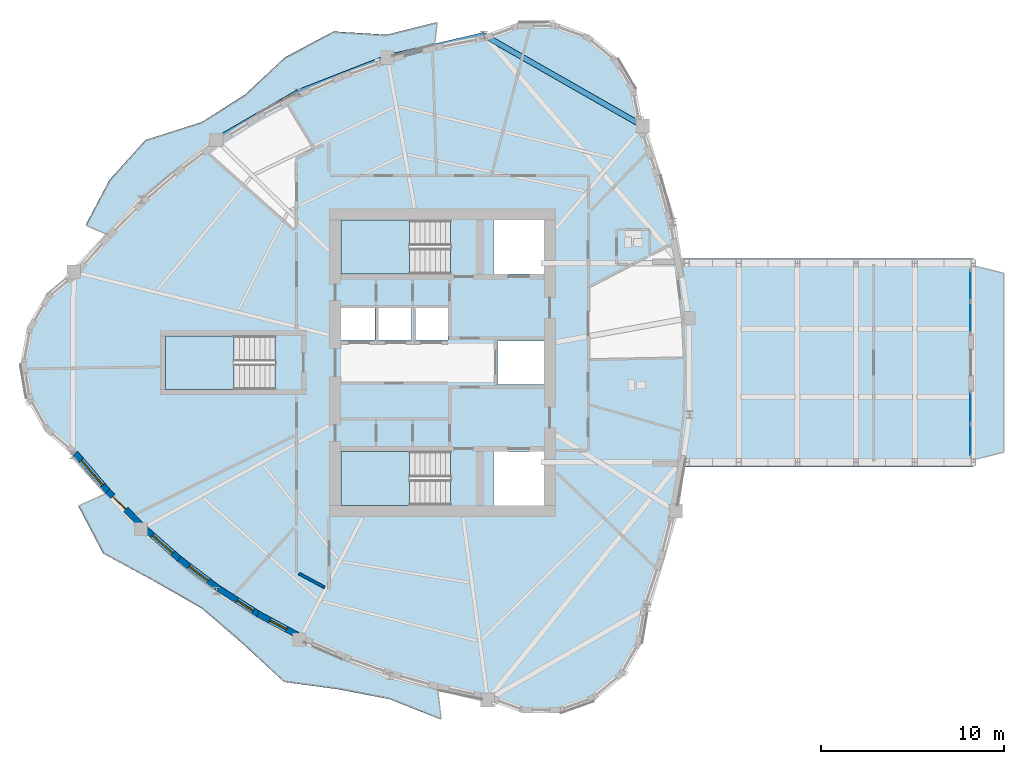
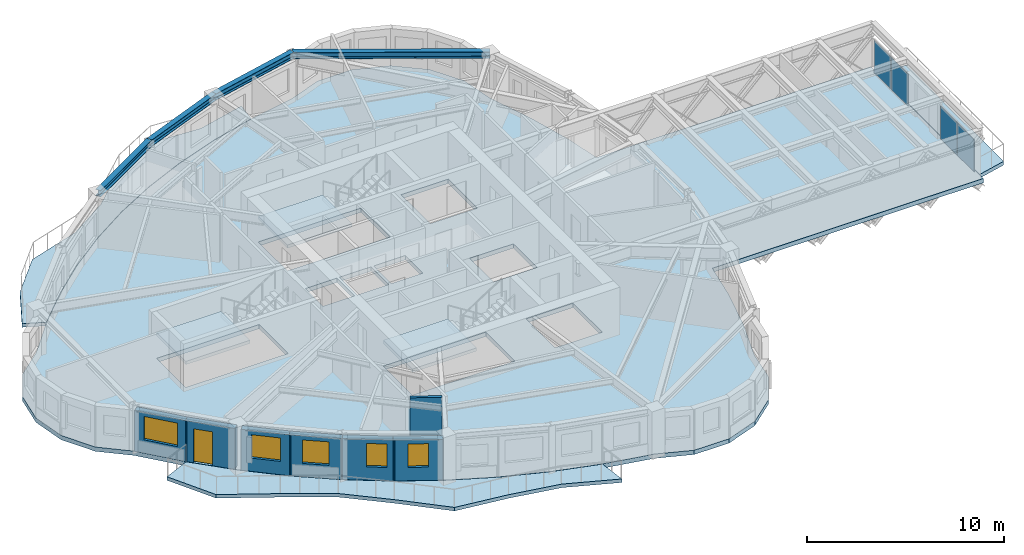
# One storey, part 3 of 13: 7 slabs, 7 walls, 5 windows, 4 beams, 4 plates, 1 door, 6 openings, 5 elements without a shape of their own.
"""IFC4 building model written with IfcOpenShell, lengths in metres."""

from ifc_helpers import new_model, si_unit, direction, frame, frame_2d, origin, origin_2d, place, context, subcontext, project, spatial, polyline, rectangle, i_section, outline, extrude, source, transform, mapped, material, layer, layer_set, material_profile, profile_set, type_object, element, fill, aggregate, save


model = new_model("IFC4")

# Units and contexts
model_context = context("Model", 3, precision=1e-05, world=origin(), true_north=direction((0.0, 1.0)))
body_context = subcontext(model_context, "Body", "Model", "MODEL_VIEW")
ifc_project = project(units=[si_unit("LENGTHUNIT", "METRE"), si_unit("AREAUNIT", "SQUARE_METRE"), si_unit("VOLUMEUNIT", "CUBIC_METRE"), si_unit("PLANEANGLEUNIT", "RADIAN"), si_unit("MASSUNIT", "GRAM", prefix="KILO")], contexts=[model_context])

# Site, building, storey
site_placement = place(None, origin())
site = spatial("IfcSite", under=ifc_project, at=site_placement, CompositionType="ELEMENT")
building_placement = place(site_placement, origin())
building = spatial("IfcBuilding", under=site, at=building_placement, Name="Qafzar Sky-Pleat Residences", CompositionType="ELEMENT")
storey_placement = place(building_placement, frame((0.0, 0.0, 158.60009765625)))
storey = spatial("IfcBuildingStorey", under=building, at=storey_placement, Name="L47", CompositionType="ELEMENT", Elevation=158.60009765625)

# Beams
ifc_material_1 = material(Name="Steel S355", Category="steel")
ifc_material_profile = material_profile(ifc_material_1, i_section(OverallWidth=0.300048828125, OverallDepth=0.39990234375, WebThickness=0.013427734375, FlangeThickness=0.02392578125, FilletRadius=0.027099609375, at=origin_2d()), Name="HEB 400")
ifc_profile_set = profile_set([ifc_material_profile], Name="Steel S355")
beam_type = type_object("IfcBeamType", Name="BM-SPAN-HEB400", PredefinedType="SPANDREL", material=ifc_profile_set)
shared_shape_1 = source(origin(), body_context, "Body", "SweptSolid", [
    extrude(i_section(OverallWidth=0.300048828125, OverallDepth=0.39990234375, WebThickness=0.013427734375, FlangeThickness=0.02392578125, FilletRadius=0.027099609375, at=origin_2d()), origin(), (0.0, 0.0, 1.0), 10.017578125),
])
beam_1_placement = place(storey_placement, frame((41.31103515625, 38.954833984375, 2.747802734375), z_axis=(-0.868435045366, 0.495802956809, 0.0), x_axis=(-0.495802956809, -0.868435045366, 0.0)))
element("IfcBeam", 1, at=beam_1_placement, inside=storey, type_object=beam_type, Name="L47 Perimeter Spandrel Beam 13", PredefinedType="SPANDREL", context=body_context, shape_type="MappedRepresentation", body=[
    mapped(shared_shape_1, transform((0.0, 0.0, 0.0), x_axis=(1.0, 0.0, 0.0), y_axis=(0.0, 1.0, 0.0), z_axis=(0.0, 0.0, 1.0), scale=1.0)),
])
shared_shape_2 = source(origin(), body_context, "Body", "SweptSolid", [
    extrude(i_section(OverallWidth=0.300048828125, OverallDepth=0.39990234375, WebThickness=0.013427734375, FlangeThickness=0.02392578125, FilletRadius=0.027099609375, at=origin_2d()), origin(), (0.0, 0.0, 1.0), 5.415771484375),
])
beam_2_placement = place(storey_placement, frame((32.611328125, 43.921630859375, 2.747802734375), z_axis=(-0.974016815393, -0.226475701418, 0.0), x_axis=(0.226475701418, -0.974016815393, 0.0)))
element("IfcBeam", 2, at=beam_2_placement, inside=storey, type_object=beam_type, Name="L47 Perimeter Spandrel Beam 14", PredefinedType="SPANDREL", context=body_context, shape_type="MappedRepresentation", body=[
    mapped(shared_shape_2, transform((0.0, 0.0, 0.0), x_axis=(1.0, 0.0, 0.0), y_axis=(0.0, 1.0, 0.0), z_axis=(0.0, 0.0, 1.0), scale=1.0)),
])
shared_shape_3 = source(origin(), body_context, "Body", "SweptSolid", [
    extrude(i_section(OverallWidth=0.300048828125, OverallDepth=0.39990234375, WebThickness=0.013427734375, FlangeThickness=0.02392578125, FilletRadius=0.027099609375, at=origin_2d()), origin(), (0.0, 0.0, 1.0), 5.2412109375),
])
beam_3_placement = place(storey_placement, frame((27.336181640625, 42.695068359375, 2.747802734375), z_axis=(-0.931333468568, -0.364167503114, 0.0), x_axis=(0.364167503114, -0.931333468568, 0.0)))
element("IfcBeam", 3, at=beam_3_placement, inside=storey, type_object=beam_type, Name="L47 Perimeter Spandrel Beam 15", PredefinedType="SPANDREL", context=body_context, shape_type="MappedRepresentation", body=[
    mapped(shared_shape_3, transform((0.0, 0.0, 0.0), x_axis=(1.0, 0.0, 0.0), y_axis=(0.0, 1.0, 0.0), z_axis=(0.0, 0.0, 1.0), scale=1.0)),
])
shared_shape_4 = source(origin(), body_context, "Body", "SweptSolid", [
    extrude(i_section(OverallWidth=0.300048828125, OverallDepth=0.39990234375, WebThickness=0.013427734375, FlangeThickness=0.02392578125, FilletRadius=0.027099609375, at=origin_2d()), origin(), (0.0, 0.0, 1.0), 5.181884765625),
])
beam_4_placement = place(storey_placement, frame((22.454833984375, 40.786376953125, 2.747802734375), z_axis=(-0.866010618649, -0.500025607732, 0.0), x_axis=(0.500025607732, -0.866010618649, 0.0)))
element("IfcBeam", 4, at=beam_4_placement, inside=storey, type_object=beam_type, Name="L47 Perimeter Spandrel Beam 16", PredefinedType="SPANDREL", context=body_context, shape_type="MappedRepresentation", body=[
    mapped(shared_shape_4, transform((0.0, 0.0, 0.0), x_axis=(1.0, 0.0, 0.0), y_axis=(0.0, 1.0, 0.0), z_axis=(0.0, 0.0, 1.0), scale=1.0)),
])

# Slabs
ifc_material_2 = material(Name="Concrete C40/50", Category="concrete")
ifc_layer_1 = layer(ifc_material_2, 0.219970703125)
ifc_layer_set_1 = layer_set([ifc_layer_1], Name="Concrete C40/50")
slab_type_1 = type_object("IfcSlabType", Name="SLAB-BAL-220", PredefinedType="USERDEFINED", material=ifc_layer_set_1)
slab_1_placement = place(storey_placement, frame((0.0, 0.0, -0.22021484375)))
element("IfcSlab", 5, at=slab_1_placement, inside=storey, type_object=slab_type_1, Name="L47 Pleated Stone Balcony 1", ObjectType="BALCONY", PredefinedType="USERDEFINED", context=body_context, shape_type="SweptSolid", body=[
    extrude(outline(polyline([(27.335693359375, 42.70703125), (24.843994140625, 41.837646484375), (22.45068359375, 40.797607421875), (20.15576171875, 39.58642578125), (17.959716796875, 38.20458984375), (15.8623046875, 36.652099609375), (13.863525390625, 34.9287109375), (11.96337890625, 33.034912109375), (10.82958984375, 33.532470703125), (12.140380859375, 36.01708984375), (14.1103515625, 38.189453125), (17.173095703125, 39.16064453125), (19.536865234375, 40.65869140625), (21.735107421875, 42.705810546875), (24.388427734375, 44.12353515625), (27.286376953125, 43.944091796875), (30.06201171875, 44.635986328125), (29.92578125, 43.405517578125), (27.335693359375, 42.70703125)])), origin(), (0.0, 0.0, 1.0), 0.22021484375),
])
slab_2_placement = place(storey_placement, frame((0.0, 0.0, -0.22021484375)))
element("IfcSlab", 6, at=slab_2_placement, inside=storey, type_object=slab_type_1, Name="L47 Pleated Stone Balcony 2", ObjectType="BALCONY", PredefinedType="USERDEFINED", context=body_context, shape_type="SweptSolid", body=[
    extrude(outline(polyline([(13.839111328125, 16.884521484375), (15.85498046875, 15.1123046875), (17.972900390625, 13.5126953125), (20.193115234375, 12.085693359375), (22.514892578125, 10.83154296875), (24.938720703125, 9.750244140625), (27.46435546875, 8.841796875), (30.091552734375, 8.105712890625), (30.28173828125, 6.47900390625), (27.42578125, 7.604248046875), (24.635498046875, 8.140625), (21.685791015625, 8.538818359375), (19.3916015625, 10.6572265625), (17.197998046875, 12.54736328125), (14.635498046875, 14.018798828125), (11.789306640625, 15.564697265625), (10.429443359375, 18.161865234375), (11.92529296875, 18.8291015625), (13.839111328125, 16.884521484375)])), origin(), (0.0, 0.0, 1.0), 0.22021484375),
])
ifc_layer_2 = layer(ifc_material_2, 0.22998046875)
ifc_layer_set_2 = layer_set([ifc_layer_2], Name="Concrete C40/50")
slab_type_2 = type_object("IfcSlabType", Name="SLAB-BAL-230", PredefinedType="USERDEFINED", material=ifc_layer_set_2)
slab_3_placement = place(storey_placement, frame((0.0, 0.0, -0.22998046875)))
element("IfcSlab", 7, at=slab_3_placement, inside=storey, type_object=slab_type_2, Name="L47 SB-4 Tip Observation Balcony", ObjectType="BALCONY", PredefinedType="USERDEFINED", context=body_context, shape_type="SweptSolid", body=[
    extrude(outline(polyline([(59.40771484375, 20.699951171875), (61.04248046875, 21.10009765625), (61.04248046875, 30.89990234375), (59.40771484375, 31.300048828125), (59.40771484375, 20.699951171875)])), origin(), (0.0, 0.0, 1.0), 0.22998046875),
])

# Stair, slab
stair_type = type_object("IfcStairType", Name="STAIR-H320", PredefinedType="HALF_TURN_STAIR", material=ifc_material_2)
stair_1_placement = place(storey_placement, origin())
stair_1 = element("IfcStair", 8, at=stair_1_placement, inside=storey, type_object=stair_type, Name="L47 Protected Exit Stair ST1", PredefinedType="HALF_TURN_STAIR")
ifc_layer_3 = layer(ifc_material_2, 0.199951171875)
ifc_layer_set_3 = layer_set([ifc_layer_3], Name="Concrete C40/50")
slab_type_3 = type_object("IfcSlabType", Name="SLAB-LANDING-200", PredefinedType="LANDING", material=ifc_layer_set_3)
slab_4_placement = place(storey_placement, frame((0.0, 0.0, 1.39990234375)))
slab_4 = element("IfcSlab", 9, at=slab_4_placement, type_object=slab_type_3, Name="ST1 landing 1", PredefinedType="LANDING", context=body_context, shape_type="SweptSolid", body=[
    extrude(outline(polyline([(28.56005859375, 21.14990234375), (24.800048828125, 21.14990234375), (24.800048828125, 18.199951171875), (28.56005859375, 18.199951171875), (28.56005859375, 21.14990234375)])), origin(), (0.0, 0.0, 1.0), 0.199951171875),
])
aggregate(stair_1, [slab_4])

stair_2_placement = place(storey_placement, origin())
stair_2 = element("IfcStair", 10, at=stair_2_placement, inside=storey, type_object=stair_type, Name="L47 Protected Exit Stair ST2", PredefinedType="HALF_TURN_STAIR")
slab_5_placement = place(storey_placement, frame((0.0, 0.0, 1.39990234375)))
slab_5 = element("IfcSlab", 11, at=slab_5_placement, type_object=slab_type_3, Name="ST2 landing 1", PredefinedType="LANDING", context=body_context, shape_type="SweptSolid", body=[
    extrude(outline(polyline([(28.56005859375, 33.800048828125), (24.800048828125, 33.800048828125), (24.800048828125, 30.85009765625), (28.56005859375, 30.85009765625), (28.56005859375, 33.800048828125)])), origin(), (0.0, 0.0, 1.0), 0.199951171875),
])
aggregate(stair_2, [slab_5])

stair_3_placement = place(storey_placement, origin())
stair_3 = element("IfcStair", 12, at=stair_3_placement, inside=storey, type_object=stair_type, Name="L47 Protected Exit Stair ST3", PredefinedType="HALF_TURN_STAIR")
slab_6_placement = place(storey_placement, frame((0.0, 0.0, 1.39990234375)))
slab_6 = element("IfcSlab", 13, at=slab_6_placement, type_object=slab_type_3, Name="ST3 landing 1", PredefinedType="LANDING", context=body_context, shape_type="SweptSolid", body=[
    extrude(outline(polyline([(18.9599609375, 27.47509765625), (15.199951171875, 27.47509765625), (15.199951171875, 24.52490234375), (18.9599609375, 24.52490234375), (18.9599609375, 27.47509765625)])), origin(), (0.0, 0.0, 1.0), 0.199951171875),
])
aggregate(stair_3, [slab_6])

# Slab
ifc_layer_4 = layer(ifc_material_2, 0.264892578125)
ifc_layer_set_4 = layer_set([ifc_layer_4], Name="Concrete C40/50")
slab_type_4 = type_object("IfcSlabType", Name="SLAB-SB-265", PredefinedType="FLOOR", material=ifc_layer_set_4)
slab_7_placement = place(storey_placement, frame((0.0, 0.0, -0.26513671875)))
element("IfcSlab", 14, at=slab_7_placement, inside=storey, type_object=slab_type_4, Name="L47 Structural Floor Slab", PredefinedType="FLOOR", context=body_context, shape_type="SweptSolid", body=[
    extrude(outline(polyline([(43.11669921875, 17.890380859375), (42.44140625, 15.248779296875), (41.565673828125, 12.60498046875), (41.22900390625, 10.600341796875), (40.220947265625, 8.835205078125), (38.666015625, 7.52587890625), (36.754638671875, 6.833740234375), (34.721923828125, 6.84375), (32.817626953125, 7.55419921875), (30.090087890625, 8.11767578125), (27.464599609375, 8.853759765625), (24.94091796875, 9.76220703125), (22.51904296875, 10.843017578125), (20.198974609375, 12.09619140625), (17.98046875, 13.52197265625), (15.864013671875, 15.1201171875), (13.849365234375, 16.890869140625), (11.936279296875, 18.833984375), (10.125244140625, 20.94970703125), (8.600830078125, 22.252197265625), (7.61083984375, 23.995849609375), (7.273681640625, 25.972412109375), (7.6298828125, 27.94580078125), (8.63671875, 29.6796875), (10.173583984375, 30.96728515625), (11.974365234375, 33.0302734375), (13.87353515625, 34.92236328125), (15.87109375, 36.644287109375), (17.96728515625, 38.1953125), (20.161865234375, 39.576171875), (22.454833984375, 40.786376953125), (24.84619140625, 41.825927734375), (27.336181640625, 42.695068359375), (29.924560546875, 43.3935546875), (32.611328125, 43.921630859375), (34.494873046875, 44.60888671875), (36.5, 44.61376953125), (38.386962890625, 43.935791015625), (39.93017578125, 42.655517578125), (40.9453125, 40.92626953125), (41.31103515625, 38.954833984375), (42.23779296875, 36.32861328125), (42.964111328125, 33.7001953125), (43.364013671875, 31.699951171875), (59.392578125, 31.699951171875), (59.392578125, 20.300048828125), (43.550537109375, 20.300048828125), (43.11669921875, 17.890380859375)]), holes=[polyline([(30.797119140625, 21.14990234375), (24.800048828125, 21.14990234375), (24.800048828125, 18.199951171875), (30.797119140625, 18.199951171875), (30.797119140625, 21.14990234375)]), polyline([(30.797119140625, 33.800048828125), (24.800048828125, 33.800048828125), (24.800048828125, 30.85009765625), (30.797119140625, 30.85009765625), (30.797119140625, 33.800048828125)]), polyline([(21.197021484375, 27.47509765625), (15.199951171875, 27.47509765625), (15.199951171875, 24.52490234375), (21.197021484375, 24.52490234375), (21.197021484375, 27.47509765625)]), polyline([(24.800048828125, 27.25), (26.64990234375, 27.25), (26.64990234375, 29.050048828125), (24.800048828125, 29.050048828125), (24.800048828125, 27.25)]), polyline([(26.800048828125, 27.25), (28.64990234375, 27.25), (28.64990234375, 29.050048828125), (26.800048828125, 29.050048828125), (26.800048828125, 27.25)]), polyline([(28.800048828125, 27.25), (30.64990234375, 27.25), (30.64990234375, 29.050048828125), (28.800048828125, 29.050048828125), (28.800048828125, 27.25)]), polyline([(33.14990234375, 18.199951171875), (35.89990234375, 18.199951171875), (35.89990234375, 21.14990234375), (33.14990234375, 21.14990234375), (33.14990234375, 18.199951171875)]), polyline([(33.14990234375, 30.85009765625), (35.89990234375, 30.85009765625), (35.89990234375, 33.800048828125), (33.14990234375, 33.800048828125), (33.14990234375, 30.85009765625)]), polyline([(33.35009765625, 24.800048828125), (35.89990234375, 24.800048828125), (35.89990234375, 27.199951171875), (33.35009765625, 27.199951171875), (33.35009765625, 24.800048828125)])]), origin(), (0.0, 0.0, 1.0), 0.26513671875),
])

# Curtain wall, plates
ifc_material_3 = material(Name="Anodised bronze aluminium framing", Category="aluminium")
ifc_layer_5 = layer(ifc_material_3, 0.239990234375)
ifc_layer_set_5 = layer_set([ifc_layer_5], Name="Anodised bronze aluminium framing")
curtain_wall_type_1 = type_object("IfcCurtainWallType", Name="CW-SYS-02", PredefinedType="NOTDEFINED", material=ifc_layer_set_5)
curtain_wall_1_placement = place(storey_placement, origin())
curtain_wall_1 = element("IfcCurtainWall", 15, at=curtain_wall_1_placement, inside=storey, type_object=curtain_wall_type_1, Name="L47 CW-02 Curtain Wall CW-L47-SB-4-PROW-L", PredefinedType="NOTDEFINED")
ifc_material_4 = material(Name="Solar-control double low-E glazing", Category="glass")
ifc_layer_6 = layer(ifc_material_4, 0.031982421875)
ifc_layer_set_6 = layer_set([ifc_layer_6], Name="Solar-control double low-E glazing")
plate_type_1 = type_object("IfcPlateType", Name="CWP-02", PredefinedType="CURTAIN_PANEL", material=ifc_layer_set_6)
shared_shape_5 = source(origin(), body_context, "Body", "SweptSolid", [
    extrude(rectangle(XDim=1.677490234375, YDim=0.031982421875, at=origin_2d()), origin(), (0.0, 0.0, 1.0), 1.97998046875),
])
plate_1_placement = place(storey_placement, frame((59.24267578125, 30.226318359375, 0.074951171875), z_axis=(0.0, 0.0, 1.0), x_axis=(0.0, -1.0, 0.0)))
plate_1 = element("IfcPlate", 16, at=plate_1_placement, type_object=plate_type_1, Name="CW-02 panel 1.1", PredefinedType="CURTAIN_PANEL", context=body_context, shape_type="MappedRepresentation", body=[
    mapped(shared_shape_5, transform((0.0, 0.0, 0.0), x_axis=(1.0, 0.0, 0.0), y_axis=(0.0, 1.0, 0.0), z_axis=(0.0, 0.0, 1.0), scale=1.0)),
])
plate_2_placement = place(storey_placement, frame((59.24267578125, 28.4736328125, 0.074951171875), z_axis=(0.0, 0.0, 1.0), x_axis=(0.0, -1.0, 0.0)))
plate_2 = element("IfcPlate", 17, at=plate_2_placement, type_object=plate_type_1, Name="CW-02 panel 2.1", PredefinedType="CURTAIN_PANEL", context=body_context, shape_type="MappedRepresentation", body=[
    mapped(shared_shape_5, transform((0.0, 0.0, 0.0), x_axis=(1.0, 0.0, 0.0), y_axis=(0.0, 1.0, 0.0), z_axis=(0.0, 0.0, 1.0), scale=1.0)),
])
aggregate(curtain_wall_1, [plate_1, plate_2])

ifc_layer_7 = layer(ifc_material_3, 0.219970703125)
ifc_layer_set_7 = layer_set([ifc_layer_7], Name="Anodised bronze aluminium framing")
curtain_wall_type_2 = type_object("IfcCurtainWallType", Name="CW-SYS-03", PredefinedType="NOTDEFINED", material=ifc_layer_set_7)
curtain_wall_2_placement = place(storey_placement, origin())
curtain_wall_2 = element("IfcCurtainWall", 18, at=curtain_wall_2_placement, inside=storey, type_object=curtain_wall_type_2, Name="L47 CW-03 Curtain Wall CW-L47-SB-4-PROW-R", PredefinedType="NOTDEFINED")
ifc_layer_8 = layer(ifc_material_4, 0.030029296875)
ifc_layer_set_8 = layer_set([ifc_layer_8], Name="Solar-control double low-E glazing")
plate_type_2 = type_object("IfcPlateType", Name="CWP-03", PredefinedType="CURTAIN_PANEL", material=ifc_layer_set_8)
shared_shape_6 = source(origin(), body_context, "Body", "SweptSolid", [
    extrude(rectangle(XDim=1.68505859375, YDim=0.030029296875, at=origin_2d()), origin(), (0.0, 0.0, 1.0), 1.989990234375),
])
plate_3_placement = place(storey_placement, frame((59.24267578125, 23.527587890625, 0.06982421875), z_axis=(0.0, 0.0, 1.0), x_axis=(0.0, -1.0, 0.0)))
plate_3 = element("IfcPlate", 19, at=plate_3_placement, type_object=plate_type_2, Name="CW-03 panel 1.1", PredefinedType="CURTAIN_PANEL", context=body_context, shape_type="MappedRepresentation", body=[
    mapped(shared_shape_6, transform((0.0, 0.0, 0.0), x_axis=(1.0, 0.0, 0.0), y_axis=(0.0, 1.0, 0.0), z_axis=(0.0, 0.0, 1.0), scale=1.0)),
])
plate_4_placement = place(storey_placement, frame((59.24267578125, 21.7724609375, 0.06982421875), z_axis=(0.0, 0.0, 1.0), x_axis=(0.0, -1.0, 0.0)))
plate_4 = element("IfcPlate", 20, at=plate_4_placement, type_object=plate_type_2, Name="CW-03 panel 2.1", PredefinedType="CURTAIN_PANEL", context=body_context, shape_type="MappedRepresentation", body=[
    mapped(shared_shape_6, transform((0.0, 0.0, 0.0), x_axis=(1.0, 0.0, 0.0), y_axis=(0.0, 1.0, 0.0), z_axis=(0.0, 0.0, 1.0), scale=1.0)),
])
aggregate(curtain_wall_2, [plate_3, plate_4])

# Wall
ifc_material_5 = material(Name="Acoustic gypsum plasterboard partition", Category="gypsum")
ifc_layer_9 = layer(ifc_material_5, 0.159912109375)
ifc_layer_set_9 = layer_set([ifc_layer_9], Name="Acoustic gypsum plasterboard partition")
wall_type_1 = type_object("IfcWallType", Name="PART-COR-160", PredefinedType="PARTITIONING", material=ifc_layer_set_9)
wall_1_placement = place(storey_placement, frame((22.4951171875, 14.470458984375, 0.0), z_axis=(0.0, 0.0, 1.0), x_axis=(0.879828765098, -0.475290799517, 0.0)))
element("IfcWall", 21, at=wall_1_placement, inside=storey, type_object=wall_type_1, Name="L47 Partition Wall PART-L47-PW-034", PredefinedType="PARTITIONING", context=body_context, shape_type="SweptSolid", body=[
    extrude(rectangle(XDim=1.625244140625, YDim=0.159912109375, at=frame_2d((0.8125, 0.0))), origin(), (0.0, 0.0, 1.0), 2.949951171875),
])

# Wall, opening, window
ifc_material_6 = material(Name="Precast concrete C40/50 with honed Riyadh limestone", Category="concrete")
ifc_layer_10 = layer(ifc_material_6, 0.340087890625)
ifc_layer_set_10 = layer_set([ifc_layer_10], Name="Precast concrete C40/50 with honed Riyadh limestone")
wall_type_2 = type_object("IfcWallType", Name="WALL-EXT-340", PredefinedType="SOLIDWALL", material=ifc_layer_set_10)
wall_2_placement = place(storey_placement, frame((10.267333984375, 21.045166015625, 0.0), z_axis=(0.0, 0.0, 1.0), x_axis=(0.650339388137, -0.759643785098, 0.0)))
wall_2 = element("IfcWall", 22, at=wall_2_placement, inside=storey, type_object=wall_type_2, Name="L47 Limestone Facade Wall 7", PredefinedType="SOLIDWALL", context=body_context, shape_type="SweptSolid", body=[
    extrude(rectangle(XDim=2.80322265625, YDim=0.340087890625, at=frame_2d((1.401611328125, 0.0))), origin(), (0.0, 0.0, 1.0), 2.52978515625),
])
opening_1_placement = place(wall_2_placement, frame((0.491455078125, 0.0, 0.820068359375)))
opening_1 = element("IfcOpeningElement", 23, at=opening_1_placement, cuts=wall_2, Name="Opening WN-01", PredefinedType="OPENING", context=body_context, shape_type="SweptSolid", body=[
    extrude(rectangle(XDim=1.800048828125, YDim=1.449951171875, at=frame_2d((0.89990234375, 0.72509765625))), frame((0.0, 0.18017578125, 0.0), z_axis=(0.0, -1.0, 0.0), x_axis=(1.0, 0.0, 0.0)), (0.0, 0.0, 1.0), 0.360107421875),
])
ifc_material_7 = material(Name="Solar-control low-E glass in bronze aluminium frame", Category="glass")
window_type_1 = type_object("IfcWindowType", Name="WIN-01", PartitioningType="DOUBLE_PANEL_VERTICAL", PredefinedType="WINDOW", material=ifc_material_7)
shared_shape_7 = source(origin(), body_context, "Body", "SweptSolid", [
    extrude(rectangle(XDim=1.800048828125, YDim=1.449951171875, at=frame_2d((0.89990234375, 0.72509765625))), frame((0.0, 0.030029296875, 0.0), z_axis=(0.0, -1.0, 0.0), x_axis=(1.0, 0.0, 0.0)), (0.0, 0.0, 1.0), 0.06005859375),
])
window_1_placement = place(opening_1_placement, origin())
window_1 = element("IfcWindow", 24, at=window_1_placement, inside=storey, type_object=window_type_1, Name="L47 Punched Facade Window 07", OverallHeight=1.449951171875, OverallWidth=1.800048828125, PartitioningType="SINGLE_PANEL", PredefinedType="WINDOW", context=body_context, shape_type="MappedRepresentation", body=[
    mapped(shared_shape_7, transform((0.0, 0.0, 0.0), x_axis=(1.0, 0.0, 0.0), y_axis=(0.0, 1.0, 0.0), z_axis=(0.0, 0.0, 1.0), scale=1.0)),
])
fill(opening_1, window_1)

# Wall, opening, door
wall_3_placement = place(storey_placement, frame((12.031005859375, 18.98046875, 0.0), z_axis=(0.0, 0.0, 1.0), x_axis=(0.701518749222, -0.712650997677, 0.0)))
wall_3 = element("IfcWall", 25, at=wall_3_placement, inside=storey, type_object=wall_type_2, Name="L47 Limestone Facade Wall 8", PredefinedType="SOLIDWALL", context=body_context, shape_type="SweptSolid", body=[
    extrude(rectangle(XDim=2.60986328125, YDim=0.340087890625, at=frame_2d((1.304931640625, 0.0))), origin(), (0.0, 0.0, 1.0), 2.52978515625),
])
opening_2_placement = place(wall_3_placement, frame((0.413330078125, 0.0, 0.0)))
opening_2 = element("IfcOpeningElement", 26, at=opening_2_placement, cuts=wall_3, Name="Opening ED-05", PredefinedType="OPENING", context=body_context, shape_type="SweptSolid", body=[
    extrude(rectangle(XDim=1.0, YDim=2.10009765625, at=frame_2d((0.5, 1.050048828125))), frame((0.0, 0.18017578125, 0.0), z_axis=(0.0, -1.0, 0.0), x_axis=(1.0, 0.0, 0.0)), (0.0, 0.0, 1.0), 0.360107421875),
])
ifc_material_8 = material(Name="Glazed bronze aluminium door", Category="aluminium")
door_type = type_object("IfcDoorType", Name="DR-BAL-1000", OperationType="NOTDEFINED", PredefinedType="DOOR", material=ifc_material_8)
shared_shape_8 = source(origin(), body_context, "Body", "SweptSolid", [
    extrude(rectangle(XDim=1.0, YDim=2.10009765625, at=frame_2d((0.5, 1.050048828125))), frame((0.0, 0.02490234375, 0.0), z_axis=(0.0, -1.0, 0.0), x_axis=(1.0, 0.0, 0.0)), (0.0, 0.0, 1.0), 0.050048828125),
])
door_placement = place(opening_2_placement, origin())
door = element("IfcDoor", 27, at=door_placement, inside=storey, type_object=door_type, Name="L47 Glazed Balcony Door 2", OperationType="SINGLE_SWING_LEFT", OverallHeight=2.10009765625, OverallWidth=1.0, PredefinedType="DOOR", context=body_context, shape_type="MappedRepresentation", body=[
    mapped(shared_shape_8, transform((0.0, 0.0, 0.0), x_axis=(1.0, 0.0, 0.0), y_axis=(0.0, 1.0, 0.0), z_axis=(0.0, 0.0, 1.0), scale=1.0)),
])
fill(opening_2, door)

# Wall, opening, window
wall_4_placement = place(storey_placement, frame((14.077880859375, 16.916259765625, 0.0), z_axis=(0.0, 0.0, 1.0), x_axis=(0.751177768463, -0.660099962253, 0.0)))
wall_4 = element("IfcWall", 28, at=wall_4_placement, inside=storey, type_object=wall_type_2, Name="L47 Limestone Facade Wall 9", PredefinedType="SOLIDWALL", context=body_context, shape_type="SweptSolid", body=[
    extrude(rectangle(XDim=2.565185546875, YDim=0.340087890625, at=frame_2d((1.28271484375, 0.0))), origin(), (0.0, 0.0, 1.0), 2.52978515625),
])
opening_3_placement = place(wall_4_placement, frame((0.527587890625, 0.0, 0.820068359375)))
opening_3 = element("IfcOpeningElement", 29, at=opening_3_placement, cuts=wall_4, Name="Opening WN-03", PredefinedType="OPENING", context=body_context, shape_type="SweptSolid", body=[
    extrude(rectangle(XDim=1.5, YDim=1.449951171875, at=frame_2d((0.75, 0.72509765625))), frame((0.0, 0.18017578125, 0.0), z_axis=(0.0, -1.0, 0.0), x_axis=(1.0, 0.0, 0.0)), (0.0, 0.0, 1.0), 0.360107421875),
])
window_type_2 = type_object("IfcWindowType", Name="WIN-03", PartitioningType="DOUBLE_PANEL_VERTICAL", PredefinedType="WINDOW", material=ifc_material_7)
shared_shape_9 = source(origin(), body_context, "Body", "SweptSolid", [
    extrude(rectangle(XDim=1.5, YDim=1.449951171875, at=frame_2d((0.75, 0.72509765625))), frame((0.0, 0.030029296875, 0.0), z_axis=(0.0, -1.0, 0.0), x_axis=(1.0, 0.0, 0.0)), (0.0, 0.0, 1.0), 0.06005859375),
])
window_2_placement = place(opening_3_placement, origin())
window_2 = element("IfcWindow", 30, at=window_2_placement, inside=storey, type_object=window_type_2, Name="L47 Punched Facade Window 09", OverallHeight=1.449951171875, OverallWidth=1.5, PartitioningType="SINGLE_PANEL", PredefinedType="WINDOW", context=body_context, shape_type="MappedRepresentation", body=[
    mapped(shared_shape_9, transform((0.0, 0.0, 0.0), x_axis=(1.0, 0.0, 0.0), y_axis=(0.0, 1.0, 0.0), z_axis=(0.0, 0.0, 1.0), scale=1.0)),
])
fill(opening_3, window_2)

wall_5_placement = place(storey_placement, frame((15.93603515625, 15.27880859375, 0.0), z_axis=(0.0, 0.0, 1.0), x_axis=(0.798020729511, -0.602629998649, 0.0)))
wall_5 = element("IfcWall", 31, at=wall_5_placement, inside=storey, type_object=wall_type_2, Name="L47 Limestone Facade Wall 10", PredefinedType="SOLIDWALL", context=body_context, shape_type="SweptSolid", body=[
    extrude(rectangle(XDim=2.670166015625, YDim=0.340087890625, at=frame_2d((1.3349609375, 0.0))), origin(), (0.0, 0.0, 1.0), 2.52978515625),
])
opening_4_placement = place(wall_5_placement, frame((0.670166015625, 0.0, 0.820068359375)))
opening_4 = element("IfcOpeningElement", 32, at=opening_4_placement, cuts=wall_5, Name="Opening WN-04", PredefinedType="OPENING", context=body_context, shape_type="SweptSolid", body=[
    extrude(rectangle(XDim=1.35009765625, YDim=1.449951171875, at=frame_2d((0.675048828125, 0.72509765625))), frame((0.0, 0.18017578125, 0.0), z_axis=(0.0, -1.0, 0.0), x_axis=(1.0, 0.0, 0.0)), (0.0, 0.0, 1.0), 0.360107421875),
])
window_type_3 = type_object("IfcWindowType", Name="WIN-04", PartitioningType="SINGLE_PANEL", PredefinedType="WINDOW", material=ifc_material_7)
shared_shape_10 = source(origin(), body_context, "Body", "SweptSolid", [
    extrude(rectangle(XDim=1.35009765625, YDim=1.449951171875, at=frame_2d((0.675048828125, 0.72509765625))), frame((0.0, 0.030029296875, 0.0), z_axis=(0.0, -1.0, 0.0), x_axis=(1.0, 0.0, 0.0)), (0.0, 0.0, 1.0), 0.06005859375),
])
window_3_placement = place(opening_4_placement, origin())
window_3 = element("IfcWindow", 33, at=window_3_placement, inside=storey, type_object=window_type_3, Name="L47 Punched Facade Window 10", OverallHeight=1.449951171875, OverallWidth=1.35009765625, PartitioningType="SINGLE_PANEL", PredefinedType="WINDOW", context=body_context, shape_type="MappedRepresentation", body=[
    mapped(shared_shape_10, transform((0.0, 0.0, 0.0), x_axis=(1.0, 0.0, 0.0), y_axis=(0.0, 1.0, 0.0), z_axis=(0.0, 0.0, 1.0), scale=1.0)),
])
fill(opening_4, window_3)

wall_6_placement = place(storey_placement, frame((18.089111328125, 13.654296875, 0.0), z_axis=(0.0, 0.0, 1.0), x_axis=(0.841241207466, -0.540659995617, 0.0)))
wall_6 = element("IfcWall", 34, at=wall_6_placement, inside=storey, type_object=wall_type_2, Name="L47 Limestone Facade Wall 11", PredefinedType="SOLIDWALL", context=body_context, shape_type="SweptSolid", body=[
    extrude(rectangle(XDim=2.6552734375, YDim=0.340087890625, at=frame_2d((1.32763671875, 0.0))), origin(), (0.0, 0.0, 1.0), 2.52978515625),
])
opening_5_placement = place(wall_6_placement, frame((1.21533203125, 0.0, 0.820068359375)))
opening_5 = element("IfcOpeningElement", 35, at=opening_5_placement, cuts=wall_6, Name="Opening WN-06", PredefinedType="OPENING", context=body_context, shape_type="SweptSolid", body=[
    extrude(rectangle(XDim=1.050048828125, YDim=1.449951171875, at=frame_2d((0.52490234375, 0.72509765625))), frame((0.0, 0.18017578125, 0.0), z_axis=(0.0, -1.0, 0.0), x_axis=(1.0, 0.0, 0.0)), (0.0, 0.0, 1.0), 0.360107421875),
])
window_type_4 = type_object("IfcWindowType", Name="WIN-06", PartitioningType="SINGLE_PANEL", PredefinedType="WINDOW", material=ifc_material_7)
shared_shape_11 = source(origin(), body_context, "Body", "SweptSolid", [
    extrude(rectangle(XDim=1.050048828125, YDim=1.449951171875, at=frame_2d((0.52490234375, 0.72509765625))), frame((0.0, 0.030029296875, 0.0), z_axis=(0.0, -1.0, 0.0), x_axis=(1.0, 0.0, 0.0)), (0.0, 0.0, 1.0), 0.06005859375),
])
window_4_placement = place(opening_5_placement, origin())
window_4 = element("IfcWindow", 36, at=window_4_placement, inside=storey, type_object=window_type_4, Name="L47 Punched Facade Window 11-2", OverallHeight=1.449951171875, OverallWidth=1.050048828125, PartitioningType="SINGLE_PANEL", PredefinedType="WINDOW", context=body_context, shape_type="MappedRepresentation", body=[
    mapped(shared_shape_11, transform((0.0, 0.0, 0.0), x_axis=(1.0, 0.0, 0.0), y_axis=(0.0, 1.0, 0.0), z_axis=(0.0, 0.0, 1.0), scale=1.0)),
])
fill(opening_5, window_4)

wall_7_placement = place(storey_placement, frame((20.246337890625, 12.263916015625, 0.0), z_axis=(0.0, 0.0, 1.0), x_axis=(0.879813837033, -0.475318432385, 0.0)))
wall_7 = element("IfcWall", 37, at=wall_7_placement, inside=storey, type_object=wall_type_2, Name="L47 Limestone Facade Wall 12", PredefinedType="SOLIDWALL", context=body_context, shape_type="SweptSolid", body=[
    extrude(rectangle(XDim=2.52001953125, YDim=0.340087890625, at=frame_2d((1.260009765625, 0.0))), origin(), (0.0, 0.0, 1.0), 2.52978515625),
])
opening_6_placement = place(wall_7_placement, frame((0.739990234375, 0.0, 0.820068359375)))
opening_6 = element("IfcOpeningElement", 38, at=opening_6_placement, cuts=wall_7, Name="Opening WN-06", PredefinedType="OPENING", context=body_context, shape_type="SweptSolid", body=[
    extrude(rectangle(XDim=1.050048828125, YDim=1.449951171875, at=frame_2d((0.52490234375, 0.72509765625))), frame((0.0, 0.18017578125, 0.0), z_axis=(0.0, -1.0, 0.0), x_axis=(1.0, 0.0, 0.0)), (0.0, 0.0, 1.0), 0.360107421875),
])
window_5_placement = place(opening_6_placement, origin())
window_5 = element("IfcWindow", 39, at=window_5_placement, inside=storey, type_object=window_type_4, Name="L47 Punched Facade Window 12", OverallHeight=1.449951171875, OverallWidth=1.050048828125, PartitioningType="SINGLE_PANEL", PredefinedType="WINDOW", context=body_context, shape_type="MappedRepresentation", body=[
    mapped(shared_shape_11, transform((0.0, 0.0, 0.0), x_axis=(1.0, 0.0, 0.0), y_axis=(0.0, 1.0, 0.0), z_axis=(0.0, 0.0, 1.0), scale=1.0)),
])
fill(opening_6, window_5)

save(model, "model.ifc")
